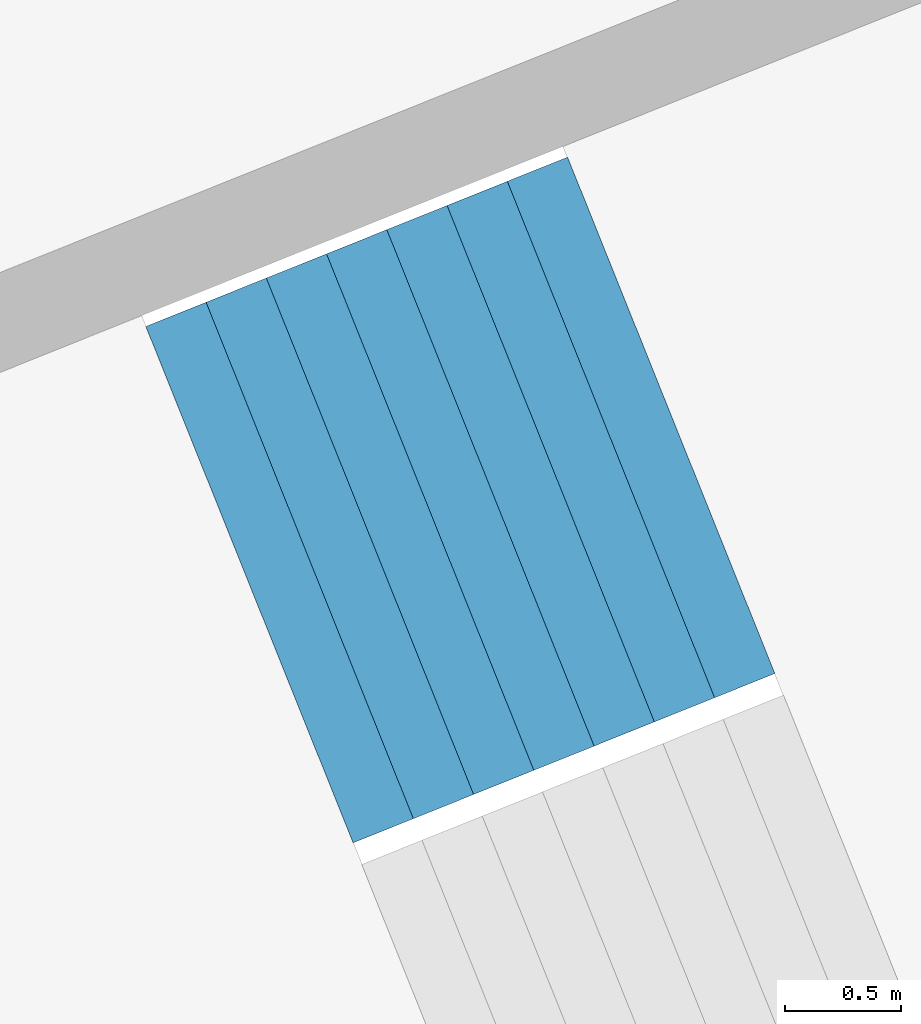
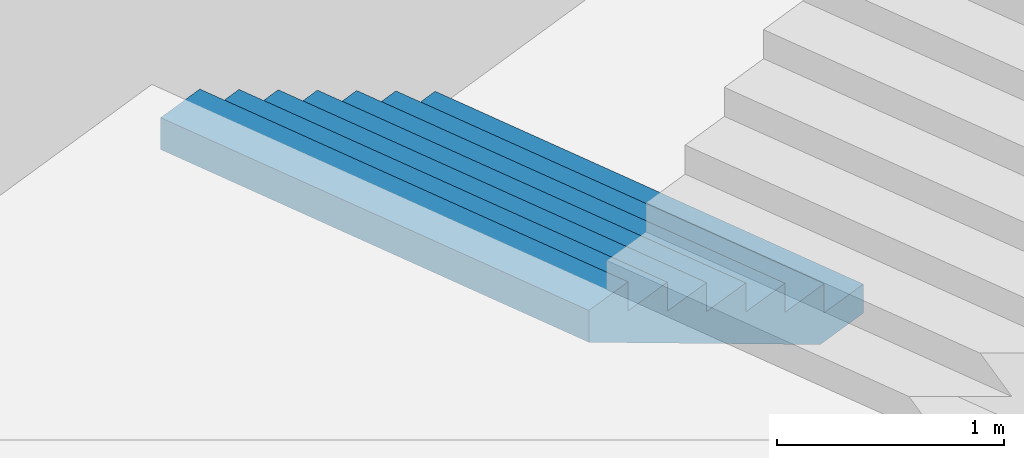
# One storey, part 21 of 73: 1 stair flight, 1 element without a shape of its own.
"""IFC4 building model written with IfcOpenShell, lengths in metres."""

from ifc_helpers import new_model, si_unit, direction, frame, origin, place, context, subcontext, project, spatial, triangles, material, type_object, element, aggregate, save


model = new_model("IFC4")

# Units and contexts
model_context = context("Model", 3, precision=1e-05, world=origin(), true_north=direction((0.0, 1.0)))
body_context = subcontext(model_context, "Body", "Model", "MODEL_VIEW")
ifc_project = project(units=[si_unit("LENGTHUNIT", "METRE"), si_unit("AREAUNIT", "SQUARE_METRE"), si_unit("VOLUMEUNIT", "CUBIC_METRE"), si_unit("PLANEANGLEUNIT", "RADIAN"), si_unit("MASSUNIT", "GRAM", prefix="KILO")], contexts=[model_context])

# Site, building, storey
site_placement = place(None, origin())
site = spatial("IfcSite", under=ifc_project, at=site_placement, CompositionType="ELEMENT")
building_placement = place(site_placement, origin())
building = spatial("IfcBuilding", under=site, at=building_placement, Name="Lantaw Convention Tower", CompositionType="ELEMENT")
storey_placement = place(building_placement, frame((0.0, 0.0, 22.0)))
storey = spatial("IfcBuildingStorey", under=building, at=storey_placement, Name="L03", CompositionType="ELEMENT", Elevation=22.0)

# Stair, stair flight
ifc_material = material(Name="Concrete C35/45", Category="concrete")
stair_type = type_object("IfcStairType", Name="Exit stair 2400 riser 156.25 in 4 flights", PredefinedType="HALF_TURN_STAIR", material=ifc_material)
stair_placement = place(storey_placement, origin())
stair = element("IfcStair", 1, at=stair_placement, inside=storey, type_object=stair_type, Name="Podium exit stair P11 L03", PredefinedType="HALF_TURN_STAIR")
stair_flight_type = type_object("IfcStairFlightType", Name="Stair flight 2400 riser 156.25", PredefinedType="STRAIGHT", material=ifc_material)
stair_flight_placement = place(storey_placement, frame((-30.017578125, -10.703369140625, 0.0), z_axis=(0.0, 0.0, 1.0), x_axis=(-0.928015168305, -0.372542410198, 0.0)))
stair_flight = element("IfcStairFlight", 2, at=stair_flight_placement, type_object=stair_flight_type, Name="P11 flight 1", NumberOfRisers=8, NumberOfTreads=7, PredefinedType="STRAIGHT", RiserHeight=0.15625, TreadLength=0.28, context=body_context, shape_type="Tessellation", body=[
    triangles([(0.0, 1.199951171875, 0.0), (0.0, 1.199951171875, 0.15625), (0.28, 1.199951171875, 0.0), (0.28, 1.199951171875, 0.15625), (0.28, 1.199951171875, 0.3125), (0.3076200632058044, 1.199951171875, 0.0), (0.3076200632058044, 1.199951171875, 0.3125), (0.56, 1.199951171875, 0.14083701830033238), (0.56, 1.199951171875, 0.3125), (0.56, 1.199951171875, 0.46875), (0.8400000000000001, 1.199951171875, 0.29708701830033235), (0.8400000000000001, 1.199951171875, 0.46875), (0.8400000000000001, 1.199951171875, 0.625), (1.12, 1.199951171875, 0.45333701830033235), (1.12, 1.199951171875, 0.625), (1.12, 1.199951171875, 0.78125), (1.4000000000000001, 1.199951171875, 0.6095870183003324), (1.4000000000000001, 1.199951171875, 0.78125), (1.4000000000000001, 1.199951171875, 0.9375), (1.6800000000000002, 1.199951171875, 0.7658370183003324), (1.6800000000000002, 1.199951171875, 0.9375), (1.6800000000000002, 1.199951171875, 1.09375), (1.9600000000000002, 1.199951171875, 0.9220870183003324), (1.9600000000000002, 1.199951171875, 1.09375), (0.0, -1.199951171875, 0.0), (0.0, -1.199951171875, 0.15625), (0.28, -1.199951171875, 0.0), (0.28, -1.199951171875, 0.15625), (0.28, -1.199951171875, 0.3125), (0.3076200632058044, -1.199951171875, 0.0), (0.3076200632058044, -1.199951171875, 0.3125), (0.56, -1.199951171875, 0.14083701830033238), (0.56, -1.199951171875, 0.3125), (0.56, -1.199951171875, 0.46875), (0.8400000000000001, -1.199951171875, 0.29708701830033235), (0.8400000000000001, -1.199951171875, 0.46875), (0.8400000000000001, -1.199951171875, 0.625), (1.12, -1.199951171875, 0.45333701830033235), (1.12, -1.199951171875, 0.625), (1.12, -1.199951171875, 0.78125), (1.4000000000000001, -1.199951171875, 0.6095870183003324), (1.4000000000000001, -1.199951171875, 0.78125), (1.4000000000000001, -1.199951171875, 0.9375), (1.6800000000000002, -1.199951171875, 0.7658370183003324), (1.6800000000000002, -1.199951171875, 0.9375), (1.6800000000000002, -1.199951171875, 1.09375), (1.9600000000000002, -1.199951171875, 0.9220870183003324), (1.9600000000000002, -1.199951171875, 1.09375), (0.0, 0.239990234375, 0.15625), (0.0, 0.239990234375, 0.0), (0.0, 0.1919921875, 0.15625), (0.0, 0.1919921875, 0.0), (0.0, 0.143994140625, 0.15625), (0.0, 0.143994140625, 0.0), (0.0, 0.09599609375, 0.15625), (0.0, 0.09599609375, 0.0), (0.0, 0.047998046875, 0.15625), (0.0, 0.047998046875, 0.0), (0.0, 0.0, 0.15625), (0.0, 0.0, 0.0), (0.0, -0.047998046875, 0.15625), (0.0, -0.047998046875, 0.0), (0.0, -0.09599609375, 0.15625), (0.0, -0.09599609375, 0.0), (0.0, -0.143994140625, 0.15625), (0.0, -0.143994140625, 0.0), (0.0, -0.1919921875, 0.15625), (0.0, -0.1919921875, 0.0), (0.0, -0.239990234375, 0.15625), (0.0, -0.239990234375, 0.0), (0.28, 0.239990234375, 0.3125), (0.28, 0.239990234375, 0.15625), (0.28, 0.1919921875, 0.3125), (0.28, 0.1919921875, 0.15625), (0.28, 0.143994140625, 0.3125), (0.28, 0.143994140625, 0.15625), (0.28, 0.09599609375, 0.3125), (0.28, 0.09599609375, 0.15625), (0.28, 0.047998046875, 0.3125), (0.28, 0.047998046875, 0.15625), (0.28, 0.0, 0.3125), (0.28, 0.0, 0.15625), (0.28, -0.047998046875, 0.3125), (0.28, -0.047998046875, 0.15625), (0.28, -0.09599609375, 0.3125), (0.28, -0.09599609375, 0.15625), (0.28, -0.143994140625, 0.3125), (0.28, -0.143994140625, 0.15625), (0.28, -0.1919921875, 0.3125), (0.28, -0.1919921875, 0.15625), (0.28, -0.239990234375, 0.3125), (0.28, -0.239990234375, 0.15625), (0.56, 0.239990234375, 0.46875), (0.56, 0.239990234375, 0.3125), (0.56, 0.1919921875, 0.46875), (0.56, 0.1919921875, 0.3125), (0.56, 0.143994140625, 0.46875), (0.56, 0.143994140625, 0.3125), (0.56, 0.09599609375, 0.46875), (0.56, 0.09599609375, 0.3125), (0.56, 0.047998046875, 0.46875), (0.56, 0.047998046875, 0.3125), (0.56, 0.0, 0.46875), (0.56, 0.0, 0.3125), (0.56, -0.047998046875, 0.46875), (0.56, -0.047998046875, 0.3125), (0.56, -0.09599609375, 0.46875), (0.56, -0.09599609375, 0.3125), (0.56, -0.143994140625, 0.46875), (0.56, -0.143994140625, 0.3125), (0.56, -0.1919921875, 0.46875), (0.56, -0.1919921875, 0.3125), (0.56, -0.239990234375, 0.46875), (0.56, -0.239990234375, 0.3125), (0.8400000000000001, 0.239990234375, 0.625), (0.8400000000000001, 0.239990234375, 0.46875), (0.8400000000000001, 0.1919921875, 0.625), (0.8400000000000001, 0.1919921875, 0.46875), (0.8400000000000001, 0.143994140625, 0.625), (0.8400000000000001, 0.143994140625, 0.46875), (0.8400000000000001, 0.09599609375, 0.625), (0.8400000000000001, 0.09599609375, 0.46875), (0.8400000000000001, 0.047998046875, 0.625), (0.8400000000000001, 0.047998046875, 0.46875), (0.8400000000000001, 0.0, 0.625), (0.8400000000000001, 0.0, 0.46875), (0.8400000000000001, -0.047998046875, 0.625), (0.8400000000000001, -0.047998046875, 0.46875), (0.8400000000000001, -0.09599609375, 0.625), (0.8400000000000001, -0.09599609375, 0.46875), (0.8400000000000001, -0.143994140625, 0.625), (0.8400000000000001, -0.143994140625, 0.46875), (0.8400000000000001, -0.1919921875, 0.625), (0.8400000000000001, -0.1919921875, 0.46875), (0.8400000000000001, -0.239990234375, 0.625), (0.8400000000000001, -0.239990234375, 0.46875), (1.12, 0.239990234375, 0.78125), (1.12, 0.239990234375, 0.625), (1.12, 0.1919921875, 0.78125), (1.12, 0.1919921875, 0.625), (1.12, 0.143994140625, 0.78125), (1.12, 0.143994140625, 0.625), (1.12, 0.09599609375, 0.78125), (1.12, 0.09599609375, 0.625), (1.12, 0.047998046875, 0.78125), (1.12, 0.047998046875, 0.625), (1.12, 0.0, 0.78125), (1.12, 0.0, 0.625), (1.12, -0.047998046875, 0.78125), (1.12, -0.047998046875, 0.625), (1.12, -0.09599609375, 0.78125), (1.12, -0.09599609375, 0.625), (1.12, -0.143994140625, 0.78125), (1.12, -0.143994140625, 0.625), (1.12, -0.1919921875, 0.78125), (1.12, -0.1919921875, 0.625), (1.12, -0.239990234375, 0.78125), (1.12, -0.239990234375, 0.625), (1.4000000000000001, 0.239990234375, 0.9375), (1.4000000000000001, 0.239990234375, 0.78125), (1.4000000000000001, 0.1919921875, 0.9375), (1.4000000000000001, 0.1919921875, 0.78125), (1.4000000000000001, 0.143994140625, 0.9375), (1.4000000000000001, 0.143994140625, 0.78125), (1.4000000000000001, 0.09599609375, 0.9375), (1.4000000000000001, 0.09599609375, 0.78125), (1.4000000000000001, 0.047998046875, 0.9375), (1.4000000000000001, 0.047998046875, 0.78125), (1.4000000000000001, 0.0, 0.9375), (1.4000000000000001, 0.0, 0.78125), (1.4000000000000001, -0.047998046875, 0.9375), (1.4000000000000001, -0.047998046875, 0.78125), (1.4000000000000001, -0.09599609375, 0.9375), (1.4000000000000001, -0.09599609375, 0.78125), (1.4000000000000001, -0.143994140625, 0.9375), (1.4000000000000001, -0.143994140625, 0.78125), (1.4000000000000001, -0.1919921875, 0.9375), (1.4000000000000001, -0.1919921875, 0.78125), (1.4000000000000001, -0.239990234375, 0.9375), (1.4000000000000001, -0.239990234375, 0.78125), (1.6800000000000002, 0.239990234375, 1.09375), (1.6800000000000002, 0.239990234375, 0.9375), (1.6800000000000002, 0.1919921875, 1.09375), (1.6800000000000002, 0.1919921875, 0.9375), (1.6800000000000002, 0.143994140625, 1.09375), (1.6800000000000002, 0.143994140625, 0.9375), (1.6800000000000002, 0.09599609375, 1.09375), (1.6800000000000002, 0.09599609375, 0.9375), (1.6800000000000002, 0.047998046875, 1.09375), (1.6800000000000002, 0.047998046875, 0.9375), (1.6800000000000002, 0.0, 1.09375), (1.6800000000000002, 0.0, 0.9375), (1.6800000000000002, -0.047998046875, 1.09375), (1.6800000000000002, -0.047998046875, 0.9375), (1.6800000000000002, -0.09599609375, 1.09375), (1.6800000000000002, -0.09599609375, 0.9375), (1.6800000000000002, -0.143994140625, 1.09375), (1.6800000000000002, -0.143994140625, 0.9375), (1.6800000000000002, -0.1919921875, 1.09375), (1.6800000000000002, -0.1919921875, 0.9375), (1.6800000000000002, -0.239990234375, 1.09375), (1.6800000000000002, -0.239990234375, 0.9375), (0.3076200632058044, 0.239990234375, 0.3125), (0.3076200632058044, 0.1919921875, 0.3125), (0.3076200632058044, 0.143994140625, 0.3125), (0.3076200632058044, 0.09599609375, 0.3125), (0.3076200632058044, 0.047998046875, 0.3125), (0.3076200632058044, 0.0, 0.3125), (0.3076200632058044, -0.047998046875, 0.3125), (0.3076200632058044, -0.09599609375, 0.3125), (0.3076200632058044, -0.143994140625, 0.3125), (0.3076200632058044, -0.1919921875, 0.3125), (0.3076200632058044, -0.239990234375, 0.3125), (1.9600000000000002, 0.239990234375, 1.09375), (1.9600000000000002, 0.1919921875, 1.09375), (1.9600000000000002, 0.143994140625, 1.09375), (1.9600000000000002, 0.09599609375, 1.09375), (1.9600000000000002, 0.047998046875, 1.09375), (1.9600000000000002, 0.0, 1.09375), (1.9600000000000002, -0.047998046875, 1.09375), (1.9600000000000002, -0.09599609375, 1.09375), (1.9600000000000002, -0.143994140625, 1.09375), (1.9600000000000002, -0.1919921875, 1.09375), (1.9600000000000002, -0.239990234375, 1.09375), (1.9600000000000002, 0.239990234375, 0.9220870183003324), (1.9600000000000002, 0.1919921875, 0.9220870183003324), (1.9600000000000002, 0.143994140625, 0.9220870183003324), (1.9600000000000002, 0.09599609375, 0.9220870183003324), (1.9600000000000002, 0.047998046875, 0.9220870183003324), (1.9600000000000002, 0.0, 0.9220870183003324), (1.9600000000000002, -0.047998046875, 0.9220870183003324), (1.9600000000000002, -0.09599609375, 0.9220870183003324), (1.9600000000000002, -0.143994140625, 0.9220870183003324), (1.9600000000000002, -0.1919921875, 0.9220870183003324), (1.9600000000000002, -0.239990234375, 0.9220870183003324), (1.6800000000000002, 0.239990234375, 0.7658370183003324), (1.6800000000000002, 0.1919921875, 0.7658370183003324), (1.6800000000000002, 0.143994140625, 0.7658370183003324), (1.6800000000000002, 0.09599609375, 0.7658370183003324), (1.6800000000000002, 0.047998046875, 0.7658370183003324), (1.6800000000000002, 0.0, 0.7658370183003324), (1.6800000000000002, -0.047998046875, 0.7658370183003324), (1.6800000000000002, -0.09599609375, 0.7658370183003324), (1.6800000000000002, -0.143994140625, 0.7658370183003324), (1.6800000000000002, -0.1919921875, 0.7658370183003324), (1.6800000000000002, -0.239990234375, 0.7658370183003324), (1.4000000000000001, 0.239990234375, 0.6095870183003324), (1.4000000000000001, 0.1919921875, 0.6095870183003324), (1.4000000000000001, 0.143994140625, 0.6095870183003324), (1.4000000000000001, 0.09599609375, 0.6095870183003324), (1.4000000000000001, 0.047998046875, 0.6095870183003324), (1.4000000000000001, 0.0, 0.6095870183003324), (1.4000000000000001, -0.047998046875, 0.6095870183003324), (1.4000000000000001, -0.09599609375, 0.6095870183003324), (1.4000000000000001, -0.143994140625, 0.6095870183003324), (1.4000000000000001, -0.1919921875, 0.6095870183003324), (1.4000000000000001, -0.239990234375, 0.6095870183003324), (1.12, 0.239990234375, 0.45333701830033235), (1.12, 0.1919921875, 0.45333701830033235), (1.12, 0.143994140625, 0.45333701830033235), (1.12, 0.09599609375, 0.45333701830033235), (1.12, 0.047998046875, 0.45333701830033235), (1.12, 0.0, 0.45333701830033235), (1.12, -0.047998046875, 0.45333701830033235), (1.12, -0.09599609375, 0.45333701830033235), (1.12, -0.143994140625, 0.45333701830033235), (1.12, -0.1919921875, 0.45333701830033235), (1.12, -0.239990234375, 0.45333701830033235), (0.8400000000000001, 0.239990234375, 0.29708701830033235), (0.8400000000000001, 0.1919921875, 0.29708701830033235), (0.8400000000000001, 0.143994140625, 0.29708701830033235), (0.8400000000000001, 0.09599609375, 0.29708701830033235), (0.8400000000000001, 0.047998046875, 0.29708701830033235), (0.8400000000000001, 0.0, 0.29708701830033235), (0.8400000000000001, -0.047998046875, 0.29708701830033235), (0.8400000000000001, -0.09599609375, 0.29708701830033235), (0.8400000000000001, -0.143994140625, 0.29708701830033235), (0.8400000000000001, -0.1919921875, 0.29708701830033235), (0.8400000000000001, -0.239990234375, 0.29708701830033235), (0.56, 0.239990234375, 0.14083701830033238), (0.56, 0.1919921875, 0.14083701830033238), (0.56, 0.143994140625, 0.14083701830033238), (0.56, 0.09599609375, 0.14083701830033238), (0.56, 0.047998046875, 0.14083701830033238), (0.56, 0.0, 0.14083701830033238), (0.56, -0.047998046875, 0.14083701830033238), (0.56, -0.09599609375, 0.14083701830033238), (0.56, -0.143994140625, 0.14083701830033238), (0.56, -0.1919921875, 0.14083701830033238), (0.56, -0.239990234375, 0.14083701830033238), (0.3076200632058044, 0.239990234375, 0.0), (0.3076200632058044, 0.1919921875, 0.0), (0.3076200632058044, 0.143994140625, 0.0), (0.3076200632058044, 0.09599609375, 0.0), (0.3076200632058044, 0.047998046875, 0.0), (0.3076200632058044, 0.0, 0.0), (0.3076200632058044, -0.047998046875, 0.0), (0.3076200632058044, -0.09599609375, 0.0), (0.3076200632058044, -0.143994140625, 0.0), (0.3076200632058044, -0.1919921875, 0.0), (0.3076200632058044, -0.239990234375, 0.0), (0.28, 0.239990234375, 0.0), (0.28, 0.1919921875, 0.0), (0.28, 0.143994140625, 0.0), (0.28, 0.09599609375, 0.0), (0.28, 0.047998046875, 0.0), (0.28, 0.0, 0.0), (0.28, -0.047998046875, 0.0), (0.28, -0.09599609375, 0.0), (0.28, -0.143994140625, 0.0), (0.28, -0.1919921875, 0.0), (0.28, -0.239990234375, 0.0)], [[1, 4, 3], [1, 2, 4], [3, 4, 6], [4, 7, 6], [4, 5, 7], [6, 9, 8], [6, 7, 9], [8, 9, 11], [9, 12, 11], [9, 10, 12], [11, 12, 14], [12, 15, 14], [12, 13, 15], [14, 15, 17], [15, 18, 17], [15, 16, 18], [17, 18, 20], [18, 21, 20], [18, 19, 21], [20, 21, 23], [21, 24, 23], [21, 22, 24], [25, 27, 28], [25, 28, 26], [27, 30, 28], [28, 30, 31], [28, 31, 29], [30, 32, 33], [30, 33, 31], [32, 35, 33], [33, 35, 36], [33, 36, 34], [35, 38, 36], [36, 38, 39], [36, 39, 37], [38, 41, 39], [39, 41, 42], [39, 42, 40], [41, 44, 42], [42, 44, 45], [42, 45, 43], [44, 47, 45], [45, 47, 48], [45, 48, 46], [1, 49, 2], [1, 50, 49], [50, 51, 49], [50, 52, 51], [52, 53, 51], [52, 54, 53], [54, 55, 53], [54, 56, 55], [56, 57, 55], [56, 58, 57], [58, 59, 57], [58, 60, 59], [60, 61, 59], [60, 62, 61], [62, 63, 61], [62, 64, 63], [64, 65, 63], [64, 66, 65], [66, 67, 65], [66, 68, 67], [68, 69, 67], [68, 70, 69], [70, 26, 69], [70, 25, 26], [4, 71, 5], [4, 72, 71], [72, 73, 71], [72, 74, 73], [74, 75, 73], [74, 76, 75], [76, 77, 75], [76, 78, 77], [78, 79, 77], [78, 80, 79], [80, 81, 79], [80, 82, 81], [82, 83, 81], [82, 84, 83], [84, 85, 83], [84, 86, 85], [86, 87, 85], [86, 88, 87], [88, 89, 87], [88, 90, 89], [90, 91, 89], [90, 92, 91], [92, 29, 91], [92, 28, 29], [9, 93, 10], [9, 94, 93], [94, 95, 93], [94, 96, 95], [96, 97, 95], [96, 98, 97], [98, 99, 97], [98, 100, 99], [100, 101, 99], [100, 102, 101], [102, 103, 101], [102, 104, 103], [104, 105, 103], [104, 106, 105], [106, 107, 105], [106, 108, 107], [108, 109, 107], [108, 110, 109], [110, 111, 109], [110, 112, 111], [112, 113, 111], [112, 114, 113], [114, 34, 113], [114, 33, 34], [12, 115, 13], [12, 116, 115], [116, 117, 115], [116, 118, 117], [118, 119, 117], [118, 120, 119], [120, 121, 119], [120, 122, 121], [122, 123, 121], [122, 124, 123], [124, 125, 123], [124, 126, 125], [126, 127, 125], [126, 128, 127], [128, 129, 127], [128, 130, 129], [130, 131, 129], [130, 132, 131], [132, 133, 131], [132, 134, 133], [134, 135, 133], [134, 136, 135], [136, 37, 135], [136, 36, 37], [15, 137, 16], [15, 138, 137], [138, 139, 137], [138, 140, 139], [140, 141, 139], [140, 142, 141], [142, 143, 141], [142, 144, 143], [144, 145, 143], [144, 146, 145], [146, 147, 145], [146, 148, 147], [148, 149, 147], [148, 150, 149], [150, 151, 149], [150, 152, 151], [152, 153, 151], [152, 154, 153], [154, 155, 153], [154, 156, 155], [156, 157, 155], [156, 158, 157], [158, 40, 157], [158, 39, 40], [18, 159, 19], [18, 160, 159], [160, 161, 159], [160, 162, 161], [162, 163, 161], [162, 164, 163], [164, 165, 163], [164, 166, 165], [166, 167, 165], [166, 168, 167], [168, 169, 167], [168, 170, 169], [170, 171, 169], [170, 172, 171], [172, 173, 171], [172, 174, 173], [174, 175, 173], [174, 176, 175], [176, 177, 175], [176, 178, 177], [178, 179, 177], [178, 180, 179], [180, 43, 179], [180, 42, 43], [21, 181, 22], [21, 182, 181], [182, 183, 181], [182, 184, 183], [184, 185, 183], [184, 186, 185], [186, 187, 185], [186, 188, 187], [188, 189, 187], [188, 190, 189], [190, 191, 189], [190, 192, 191], [192, 193, 191], [192, 194, 193], [194, 195, 193], [194, 196, 195], [196, 197, 195], [196, 198, 197], [198, 199, 197], [198, 200, 199], [200, 201, 199], [200, 202, 201], [202, 46, 201], [202, 45, 46], [2, 72, 4], [2, 49, 72], [49, 74, 72], [49, 51, 74], [51, 76, 74], [51, 53, 76], [53, 78, 76], [53, 55, 78], [55, 80, 78], [55, 57, 80], [57, 82, 80], [57, 59, 82], [59, 84, 82], [59, 61, 84], [61, 86, 84], [61, 63, 86], [63, 88, 86], [63, 65, 88], [65, 90, 88], [65, 67, 90], [67, 92, 90], [67, 69, 92], [69, 28, 92], [69, 26, 28], [5, 203, 7], [5, 71, 203], [71, 204, 203], [71, 73, 204], [73, 205, 204], [73, 75, 205], [75, 206, 205], [75, 77, 206], [77, 207, 206], [77, 79, 207], [79, 208, 207], [79, 81, 208], [81, 209, 208], [81, 83, 209], [83, 210, 209], [83, 85, 210], [85, 211, 210], [85, 87, 211], [87, 212, 211], [87, 89, 212], [89, 213, 212], [89, 91, 213], [91, 31, 213], [91, 29, 31], [7, 94, 9], [7, 203, 94], [203, 96, 94], [203, 204, 96], [204, 98, 96], [204, 205, 98], [205, 100, 98], [205, 206, 100], [206, 102, 100], [206, 207, 102], [207, 104, 102], [207, 208, 104], [208, 106, 104], [208, 209, 106], [209, 108, 106], [209, 210, 108], [210, 110, 108], [210, 211, 110], [211, 112, 110], [211, 212, 112], [212, 114, 112], [212, 213, 114], [213, 33, 114], [213, 31, 33], [10, 116, 12], [10, 93, 116], [93, 118, 116], [93, 95, 118], [95, 120, 118], [95, 97, 120], [97, 122, 120], [97, 99, 122], [99, 124, 122], [99, 101, 124], [101, 126, 124], [101, 103, 126], [103, 128, 126], [103, 105, 128], [105, 130, 128], [105, 107, 130], [107, 132, 130], [107, 109, 132], [109, 134, 132], [109, 111, 134], [111, 136, 134], [111, 113, 136], [113, 36, 136], [113, 34, 36], [13, 138, 15], [13, 115, 138], [115, 140, 138], [115, 117, 140], [117, 142, 140], [117, 119, 142], [119, 144, 142], [119, 121, 144], [121, 146, 144], [121, 123, 146], [123, 148, 146], [123, 125, 148], [125, 150, 148], [125, 127, 150], [127, 152, 150], [127, 129, 152], [129, 154, 152], [129, 131, 154], [131, 156, 154], [131, 133, 156], [133, 158, 156], [133, 135, 158], [135, 39, 158], [135, 37, 39], [16, 160, 18], [16, 137, 160], [137, 162, 160], [137, 139, 162], [139, 164, 162], [139, 141, 164], [141, 166, 164], [141, 143, 166], [143, 168, 166], [143, 145, 168], [145, 170, 168], [145, 147, 170], [147, 172, 170], [147, 149, 172], [149, 174, 172], [149, 151, 174], [151, 176, 174], [151, 153, 176], [153, 178, 176], [153, 155, 178], [155, 180, 178], [155, 157, 180], [157, 42, 180], [157, 40, 42], [19, 182, 21], [19, 159, 182], [159, 184, 182], [159, 161, 184], [161, 186, 184], [161, 163, 186], [163, 188, 186], [163, 165, 188], [165, 190, 188], [165, 167, 190], [167, 192, 190], [167, 169, 192], [169, 194, 192], [169, 171, 194], [171, 196, 194], [171, 173, 196], [173, 198, 196], [173, 175, 198], [175, 200, 198], [175, 177, 200], [177, 202, 200], [177, 179, 202], [179, 45, 202], [179, 43, 45], [22, 214, 24], [22, 181, 214], [181, 215, 214], [181, 183, 215], [183, 216, 215], [183, 185, 216], [185, 217, 216], [185, 187, 217], [187, 218, 217], [187, 189, 218], [189, 219, 218], [189, 191, 219], [191, 220, 219], [191, 193, 220], [193, 221, 220], [193, 195, 221], [195, 222, 221], [195, 197, 222], [197, 223, 222], [197, 199, 223], [199, 224, 223], [199, 201, 224], [201, 48, 224], [201, 46, 48], [24, 225, 23], [24, 214, 225], [214, 226, 225], [214, 215, 226], [215, 227, 226], [215, 216, 227], [216, 228, 227], [216, 217, 228], [217, 229, 228], [217, 218, 229], [218, 230, 229], [218, 219, 230], [219, 231, 230], [219, 220, 231], [220, 232, 231], [220, 221, 232], [221, 233, 232], [221, 222, 233], [222, 234, 233], [222, 223, 234], [223, 235, 234], [223, 224, 235], [224, 47, 235], [224, 48, 47], [23, 236, 20], [23, 225, 236], [225, 237, 236], [225, 226, 237], [226, 238, 237], [226, 227, 238], [227, 239, 238], [227, 228, 239], [228, 240, 239], [228, 229, 240], [229, 241, 240], [229, 230, 241], [230, 242, 241], [230, 231, 242], [231, 243, 242], [231, 232, 243], [232, 244, 243], [232, 233, 244], [233, 245, 244], [233, 234, 245], [234, 246, 245], [234, 235, 246], [235, 44, 246], [235, 47, 44], [20, 247, 17], [20, 236, 247], [236, 248, 247], [236, 237, 248], [237, 249, 248], [237, 238, 249], [238, 250, 249], [238, 239, 250], [239, 251, 250], [239, 240, 251], [240, 252, 251], [240, 241, 252], [241, 253, 252], [241, 242, 253], [242, 254, 253], [242, 243, 254], [243, 255, 254], [243, 244, 255], [244, 256, 255], [244, 245, 256], [245, 257, 256], [245, 246, 257], [246, 41, 257], [246, 44, 41], [17, 258, 14], [17, 247, 258], [247, 259, 258], [247, 248, 259], [248, 260, 259], [248, 249, 260], [249, 261, 260], [249, 250, 261], [250, 262, 261], [250, 251, 262], [251, 263, 262], [251, 252, 263], [252, 264, 263], [252, 253, 264], [253, 265, 264], [253, 254, 265], [254, 266, 265], [254, 255, 266], [255, 267, 266], [255, 256, 267], [256, 268, 267], [256, 257, 268], [257, 38, 268], [257, 41, 38], [14, 269, 11], [14, 258, 269], [258, 270, 269], [258, 259, 270], [259, 271, 270], [259, 260, 271], [260, 272, 271], [260, 261, 272], [261, 273, 272], [261, 262, 273], [262, 274, 273], [262, 263, 274], [263, 275, 274], [263, 264, 275], [264, 276, 275], [264, 265, 276], [265, 277, 276], [265, 266, 277], [266, 278, 277], [266, 267, 278], [267, 279, 278], [267, 268, 279], [268, 35, 279], [268, 38, 35], [11, 280, 8], [11, 269, 280], [269, 281, 280], [269, 270, 281], [270, 282, 281], [270, 271, 282], [271, 283, 282], [271, 272, 283], [272, 284, 283], [272, 273, 284], [273, 285, 284], [273, 274, 285], [274, 286, 285], [274, 275, 286], [275, 287, 286], [275, 276, 287], [276, 288, 287], [276, 277, 288], [277, 289, 288], [277, 278, 289], [278, 290, 289], [278, 279, 290], [279, 32, 290], [279, 35, 32], [8, 291, 6], [8, 280, 291], [280, 292, 291], [280, 281, 292], [281, 293, 292], [281, 282, 293], [282, 294, 293], [282, 283, 294], [283, 295, 294], [283, 284, 295], [284, 296, 295], [284, 285, 296], [285, 297, 296], [285, 286, 297], [286, 298, 297], [286, 287, 298], [287, 299, 298], [287, 288, 299], [288, 300, 299], [288, 289, 300], [289, 301, 300], [289, 290, 301], [290, 30, 301], [290, 32, 30], [6, 302, 3], [6, 291, 302], [291, 303, 302], [291, 292, 303], [292, 304, 303], [292, 293, 304], [293, 305, 304], [293, 294, 305], [294, 306, 305], [294, 295, 306], [295, 307, 306], [295, 296, 307], [296, 308, 307], [296, 297, 308], [297, 309, 308], [297, 298, 309], [298, 310, 309], [298, 299, 310], [299, 311, 310], [299, 300, 311], [300, 312, 311], [300, 301, 312], [301, 27, 312], [301, 30, 27], [3, 50, 1], [3, 302, 50], [302, 52, 50], [302, 303, 52], [303, 54, 52], [303, 304, 54], [304, 56, 54], [304, 305, 56], [305, 58, 56], [305, 306, 58], [306, 60, 58], [306, 307, 60], [307, 62, 60], [307, 308, 62], [308, 64, 62], [308, 309, 64], [309, 66, 64], [309, 310, 66], [310, 68, 66], [310, 311, 68], [311, 70, 68], [311, 312, 70], [312, 25, 70], [312, 27, 25]], closed=True),
])
aggregate(stair, [stair_flight])

save(model, "model.ifc")
